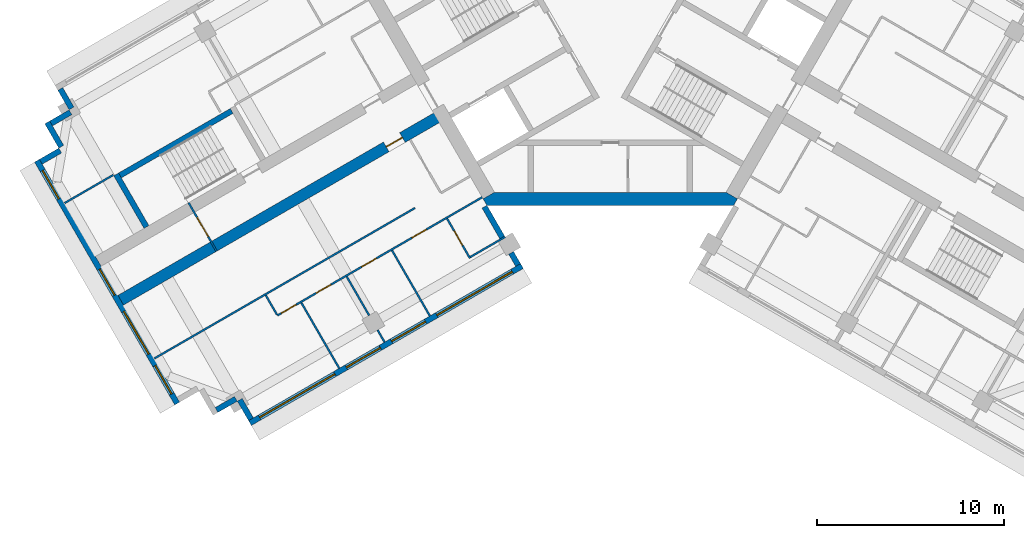
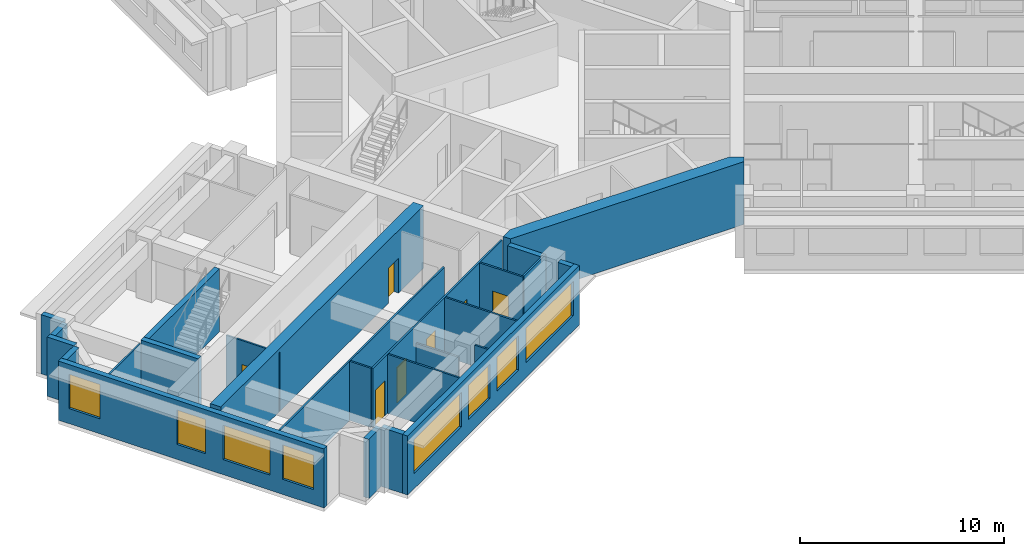
# One storey, part 2 of 11: 25 walls, 8 windows, 7 doors, 15 openings.
"""IFC4 building model written with IfcOpenShell, lengths in metres."""

from ifc_helpers import new_model, si_unit, direction, frame, frame_2d, origin, place, context, subcontext, project, spatial, polyline, rectangle, outline, extrude, material, layer, layer_set, type_object, element, fill, save


model = new_model("IFC4")

# Units and contexts
model_context = context("Model", 3, precision=1e-05, world=origin(), true_north=direction((0.0, 1.0)))
body_context = subcontext(model_context, "Body", "Model", "MODEL_VIEW")
ifc_project = project(units=[si_unit("LENGTHUNIT", "METRE"), si_unit("AREAUNIT", "SQUARE_METRE"), si_unit("VOLUMEUNIT", "CUBIC_METRE"), si_unit("PLANEANGLEUNIT", "RADIAN"), si_unit("MASSUNIT", "GRAM", prefix="KILO")], contexts=[model_context])

# Site, building, storey
site_placement = place(None, origin())
site = spatial("IfcSite", under=ifc_project, at=site_placement, CompositionType="ELEMENT")
building_placement = place(site_placement, origin())
building = spatial("IfcBuilding", under=site, at=building_placement, Name="Impinga Residences", CompositionType="ELEMENT")
storey_placement = place(building_placement, frame((0.0, 0.0, 244.75)))
storey = spatial("IfcBuildingStorey", under=building, at=storey_placement, Name="L61", CompositionType="ELEMENT", Elevation=244.75)

# Wall, opening, door
ifc_material_1 = material(Name="Concrete C60/75", Category="concrete")
ifc_layer_1 = layer(ifc_material_1, 0.60009765625)
ifc_layer_set_1 = layer_set([ifc_layer_1], Name="Concrete C60/75")
wall_type_1 = type_object("IfcWallType", Name="BW3 corridor buttress wall, L46 to L73 600", PredefinedType="SHEAR", material=ifc_layer_set_1)
wall_1_placement = place(storey_placement, frame((-8.996826171875, -6.580078125, 0.0), z_axis=(0.0, 0.0, 1.0), x_axis=(-0.866030540451, -0.499991102927, 0.0)))
wall_1 = element("IfcWall", 1, at=wall_1_placement, inside=storey, type_object=wall_type_1, Name="Corridor wall BW3 WC L61", PredefinedType="SHEAR", context=body_context, shape_type="SweptSolid", body=[
    extrude(rectangle(XDim=19.849853515625, YDim=0.60009765625, at=frame_2d((9.9248046875, 0.0))), origin(), (0.0, 0.0, 1.0), 3.75),
])
opening_1_placement = place(wall_1_placement, frame((2.449951171875, 0.0, 0.0)))
opening_1 = element("IfcOpeningElement", 2, at=opening_1_placement, cuts=wall_1, Name="Opening D1", PredefinedType="OPENING", context=body_context, shape_type="SweptSolid", body=[
    extrude(rectangle(XDim=1.0, YDim=2.10009765625, at=frame_2d((0.5, 1.050048828125))), frame((0.0, 0.31005859375, 0.0), z_axis=(0.0, -1.0, 0.0), x_axis=(1.0, 0.0, 0.0)), (0.0, 0.0, 1.0), 0.6201171875),
])
ifc_material_2 = material(Name="Timber door set", Category="wood")
door_type_1 = type_object("IfcDoorType", Name="D1 apartment entrance door 1000x2100", OperationType="SINGLE_SWING_LEFT", PredefinedType="DOOR", material=ifc_material_2)
door_1_placement = place(opening_1_placement, origin())
door_1 = element("IfcDoor", 3, at=door_1_placement, inside=storey, type_object=door_type_1, Name="Apartment L61-WA1 entrance", OperationType="SINGLE_SWING_LEFT", OverallHeight=2.10009765625, OverallWidth=1.0, PredefinedType="DOOR", context=body_context, shape_type="SweptSolid", body=[
    extrude(rectangle(XDim=1.0, YDim=2.10009765625, at=frame_2d((0.5, 1.050048828125))), frame((0.0, 0.02490234375, 0.0), z_axis=(0.0, -1.0, 0.0), x_axis=(1.0, 0.0, 0.0)), (0.0, 0.0, 1.0), 0.050048828125),
])
fill(opening_1, door_1)

ifc_material_3 = material(Name="Concrete blockwork", Category="masonry")
ifc_layer_2 = layer(ifc_material_3, 0.10009765625)
ifc_layer_set_2 = layer_set([ifc_layer_2], Name="CP1 core room partition, blockwork 100")
wall_type_2 = type_object("IfcWallType", Name="CP1 core room partition, blockwork 100", PredefinedType="PARTITIONING", material=ifc_layer_set_2)
wall_2_placement = place(storey_placement, frame((-21.057861328125, -13.889892578125, 0.0), z_axis=(0.0, 0.0, 1.0), x_axis=(-0.499990139034, 0.866031096941, 0.0)))
wall_2 = element("IfcWall", 4, at=wall_2_placement, inside=storey, type_object=wall_type_2, Name="Core room partition, blockwork L61:W:LNG", PredefinedType="PARTITIONING", context=body_context, shape_type="SweptSolid", body=[
    extrude(rectangle(XDim=3.0, YDim=0.10009765625, at=frame_2d((1.5, 0.0))), origin(), (0.0, 0.0, 1.0), 3.530029296875),
])
opening_2_placement = place(wall_2_placement, frame((0.89990234375, 0.0, 0.0)))
opening_2 = element("IfcOpeningElement", 5, at=opening_2_placement, cuts=wall_2, Name="Opening D3", PredefinedType="OPENING", context=body_context, shape_type="SweptSolid", body=[
    extrude(rectangle(XDim=1.199951171875, YDim=2.10009765625, at=frame_2d((0.60009765625, 1.050048828125))), frame((0.0, 0.06005859375, 0.0), z_axis=(0.0, -1.0, 0.0), x_axis=(1.0, 0.0, 0.0)), (0.0, 0.0, 1.0), 0.1201171875),
])
door_type_2 = type_object("IfcDoorType", Name="D3 room door, leaf and a half 1200x2100", OperationType="DOUBLE_SWING_LEFT", PredefinedType="DOOR", material=ifc_material_2)
door_2_placement = place(opening_2_placement, origin())
door_2 = element("IfcDoor", 6, at=door_2_placement, inside=storey, type_object=door_type_2, Name="Residents' lounge door W", OperationType="DOUBLE_SWING_LEFT", OverallHeight=2.10009765625, OverallWidth=1.199951171875, PredefinedType="DOOR", context=body_context, shape_type="SweptSolid", body=[
    extrude(rectangle(XDim=1.199951171875, YDim=2.10009765625, at=frame_2d((0.60009765625, 1.050048828125))), frame((0.0, 0.02490234375, 0.0), z_axis=(0.0, -1.0, 0.0), x_axis=(1.0, 0.0, 0.0)), (0.0, 0.0, 1.0), 0.050048828125),
])
fill(opening_2, door_2)

# Walls
ifc_material_4 = material(Name="Terracotta rainscreen on blockwork", Category="masonry")
ifc_layer_3 = layer(ifc_material_4, 0.300048828125)
ifc_layer_set_3 = layer_set([ifc_layer_3], Name="EW1 external wall, terracotta rainscreen on blockwork 300")
wall_type_3 = type_object("IfcWallType", Name="EW1 external wall, terracotta rainscreen on blockwork 300", PredefinedType="SOLIDWALL", material=ifc_layer_set_3)
wall_3_placement = place(storey_placement, frame((-6.72998046875, -11.506591796875, 0.0), z_axis=(0.0, 0.0, 1.0), x_axis=(0.500043961785, -0.866000020948, 0.0)))
element("IfcWall", 7, at=wall_3_placement, inside=storey, type_object=wall_type_3, Name="External wall EW1 L61", PredefinedType="SOLIDWALL", context=body_context, shape_type="SweptSolid", body=[
    extrude(rectangle(XDim=1.949951171875, YDim=0.300048828125, at=frame_2d((0.97509765625, 0.0))), origin(), (0.0, 0.0, 1.0), 3.530029296875),
])
wall_4_placement = place(storey_placement, frame((-5.304931640625, -13.974609375, 0.0), z_axis=(0.0, 0.0, 1.0), x_axis=(0.499919672301, -0.866071776036, 0.0)))
element("IfcWall", 8, at=wall_4_placement, inside=storey, type_object=wall_type_3, Name="External wall EW1 L61", PredefinedType="SOLIDWALL", context=body_context, shape_type="SweptSolid", body=[
    extrude(rectangle(XDim=0.75, YDim=0.300048828125, at=frame_2d((0.375, 0.0))), origin(), (0.0, 0.0, 1.0), 3.530029296875),
])

# Wall, openings, windows
wall_5_placement = place(storey_placement, frame((-4.72509765625, -14.67919921875, 0.0), z_axis=(0.0, 0.0, 1.0), x_axis=(-0.86602562146, -0.499999622975, 0.0)))
wall_5 = element("IfcWall", 9, at=wall_5_placement, inside=storey, type_object=wall_type_3, Name="External wall EW1 L61", PredefinedType="SOLIDWALL", context=body_context, shape_type="SweptSolid", body=[
    extrude(rectangle(XDim=16.7998046875, YDim=0.300048828125, at=frame_2d((8.39990234375, 0.0))), origin(), (0.0, 0.0, 1.0), 3.530029296875),
])
opening_3_placement = place(wall_5_placement, frame((0.60009765625, 0.0, 0.89990234375)))
opening_3 = element("IfcOpeningElement", 10, at=opening_3_placement, cuts=wall_5, Name="Opening W10", PredefinedType="OPENING", context=body_context, shape_type="SweptSolid", body=[
    extrude(rectangle(XDim=4.64990234375, YDim=2.050048828125, at=frame_2d((2.324951171875, 1.02490234375))), frame((0.0, 0.159912109375, 0.0), z_axis=(0.0, -1.0, 0.0), x_axis=(1.0, 0.0, 0.0)), (0.0, 0.0, 1.0), 0.320068359375),
])
opening_4_placement = place(wall_5_placement, frame((5.949951171875, 0.0, 0.89990234375)))
opening_4 = element("IfcOpeningElement", 11, at=opening_4_placement, cuts=wall_5, Name="Opening W9", PredefinedType="OPENING", context=body_context, shape_type="SweptSolid", body=[
    extrude(rectangle(XDim=2.10009765625, YDim=2.050048828125, at=frame_2d((1.050048828125, 1.02490234375))), frame((0.0, 0.159912109375, 0.0), z_axis=(0.0, -1.0, 0.0), x_axis=(1.0, 0.0, 0.0)), (0.0, 0.0, 1.0), 0.320068359375),
])
opening_5_placement = place(wall_5_placement, frame((8.75, 0.0, 0.89990234375)))
opening_5 = element("IfcOpeningElement", 12, at=opening_5_placement, cuts=wall_5, Name="Opening W9", PredefinedType="OPENING", context=body_context, shape_type="SweptSolid", body=[
    extrude(rectangle(XDim=2.10009765625, YDim=2.050048828125, at=frame_2d((1.050048828125, 1.02490234375))), frame((0.0, 0.159912109375, 0.0), z_axis=(0.0, -1.0, 0.0), x_axis=(1.0, 0.0, 0.0)), (0.0, 0.0, 1.0), 0.320068359375),
])
opening_6_placement = place(wall_5_placement, frame((11.550048828125, 0.0, 0.89990234375)))
opening_6 = element("IfcOpeningElement", 13, at=opening_6_placement, cuts=wall_5, Name="Opening W10", PredefinedType="OPENING", context=body_context, shape_type="SweptSolid", body=[
    extrude(rectangle(XDim=4.64990234375, YDim=2.050048828125, at=frame_2d((2.324951171875, 1.02490234375))), frame((0.0, 0.159912109375, 0.0), z_axis=(0.0, -1.0, 0.0), x_axis=(1.0, 0.0, 0.0)), (0.0, 0.0, 1.0), 0.320068359375),
])
ifc_material_5 = material(Name="Aluminium window, clear double glazing", Category="aluminium")
window_type_1 = type_object("IfcWindowType", Name="W10 ribbon window 4650x2050", PartitioningType="SINGLE_PANEL", PredefinedType="WINDOW", material=ifc_material_5)
window_1_placement = place(opening_3_placement, origin())
window_1 = element("IfcWindow", 14, at=window_1_placement, inside=storey, type_object=window_type_1, Name="Window L61", OverallHeight=2.050048828125, OverallWidth=4.64990234375, PartitioningType="SINGLE_PANEL", PredefinedType="WINDOW", context=body_context, shape_type="SweptSolid", body=[
    extrude(rectangle(XDim=4.64990234375, YDim=2.050048828125, at=frame_2d((2.324951171875, 1.02490234375))), frame((0.0, 0.030029296875, 0.0), z_axis=(0.0, -1.0, 0.0), x_axis=(1.0, 0.0, 0.0)), (0.0, 0.0, 1.0), 0.06005859375),
])
fill(opening_3, window_1)
window_2_placement = place(opening_6_placement, origin())
window_2 = element("IfcWindow", 15, at=window_2_placement, inside=storey, type_object=window_type_1, Name="Window L61", OverallHeight=2.050048828125, OverallWidth=4.64990234375, PartitioningType="SINGLE_PANEL", PredefinedType="WINDOW", context=body_context, shape_type="SweptSolid", body=[
    extrude(rectangle(XDim=4.64990234375, YDim=2.050048828125, at=frame_2d((2.324951171875, 1.02490234375))), frame((0.0, 0.030029296875, 0.0), z_axis=(0.0, -1.0, 0.0), x_axis=(1.0, 0.0, 0.0)), (0.0, 0.0, 1.0), 0.06005859375),
])
fill(opening_6, window_2)
window_type_2 = type_object("IfcWindowType", Name="W9 ribbon window 2100x2050", PartitioningType="SINGLE_PANEL", PredefinedType="WINDOW", material=ifc_material_5)
window_3_placement = place(opening_4_placement, origin())
window_3 = element("IfcWindow", 16, at=window_3_placement, inside=storey, type_object=window_type_2, Name="Window L61", OverallHeight=2.050048828125, OverallWidth=2.10009765625, PartitioningType="SINGLE_PANEL", PredefinedType="WINDOW", context=body_context, shape_type="SweptSolid", body=[
    extrude(rectangle(XDim=2.10009765625, YDim=2.050048828125, at=frame_2d((1.050048828125, 1.02490234375))), frame((0.0, 0.030029296875, 0.0), z_axis=(0.0, -1.0, 0.0), x_axis=(1.0, 0.0, 0.0)), (0.0, 0.0, 1.0), 0.06005859375),
])
fill(opening_4, window_3)
window_4_placement = place(opening_5_placement, origin())
window_4 = element("IfcWindow", 17, at=window_4_placement, inside=storey, type_object=window_type_2, Name="Window L61", OverallHeight=2.050048828125, OverallWidth=2.10009765625, PartitioningType="SINGLE_PANEL", PredefinedType="WINDOW", context=body_context, shape_type="SweptSolid", body=[
    extrude(rectangle(XDim=2.10009765625, YDim=2.050048828125, at=frame_2d((1.050048828125, 1.02490234375))), frame((0.0, 0.030029296875, 0.0), z_axis=(0.0, -1.0, 0.0), x_axis=(1.0, 0.0, 0.0)), (0.0, 0.0, 1.0), 0.06005859375),
])
fill(opening_5, window_4)

# Walls
wall_6_placement = place(storey_placement, frame((-19.21923828125, -22.874267578125, 0.0), z_axis=(0.0, 0.0, 1.0), x_axis=(-0.500033551112, 0.866006032174, 0.0)))
element("IfcWall", 18, at=wall_6_placement, inside=storey, type_object=wall_type_3, Name="External wall EW1 L61", PredefinedType="SOLIDWALL", context=body_context, shape_type="SweptSolid", body=[
    extrude(rectangle(XDim=1.2001953125, YDim=0.300048828125, at=frame_2d((0.60009765625, 0.0))), origin(), (0.0, 0.0, 1.0), 3.530029296875),
])
wall_7_placement = place(storey_placement, frame((-20.028564453125, -21.782470703125, 0.0), z_axis=(0.0, 0.0, 1.0), x_axis=(-0.865971243484, -0.500093796661, 0.0)))
element("IfcWall", 19, at=wall_7_placement, inside=storey, type_object=wall_type_3, Name="External wall EW1 L61", PredefinedType="SOLIDWALL", context=body_context, shape_type="SweptSolid", body=[
    extrude(rectangle(XDim=1.195068359375, YDim=0.300048828125, at=frame_2d((0.59765625, 0.0))), origin(), (0.0, 0.0, 1.0), 3.530029296875),
])

# Wall, openings, windows
wall_8_placement = place(storey_placement, frame((-23.16748046875, -22.035888671875, 0.0), z_axis=(0.0, 0.0, 1.0), x_axis=(-0.500004234368, 0.866022959057, 0.0)))
wall_8 = element("IfcWall", 20, at=wall_8_placement, inside=storey, type_object=wall_type_3, Name="External wall EW1 L61", PredefinedType="SOLIDWALL", context=body_context, shape_type="SweptSolid", body=[
    extrude(rectangle(XDim=14.999755859375, YDim=0.300048828125, at=frame_2d((7.5, 0.0))), origin(), (0.0, 0.0, 1.0), 3.530029296875),
])
opening_7_placement = place(wall_8_placement, frame((0.60009765625, 0.0, 0.89990234375)))
opening_7 = element("IfcOpeningElement", 21, at=opening_7_placement, cuts=wall_8, Name="Opening W1", PredefinedType="OPENING", context=body_context, shape_type="SweptSolid", body=[
    extrude(rectangle(XDim=1.75, YDim=2.050048828125, at=frame_2d((0.875, 1.02490234375))), frame((0.0, 0.159912109375, 0.0), z_axis=(0.0, -1.0, 0.0), x_axis=(1.0, 0.0, 0.0)), (0.0, 0.0, 1.0), 0.320068359375),
])
opening_8_placement = place(wall_8_placement, frame((3.050048828125, 0.0, 0.89990234375)))
opening_8 = element("IfcOpeningElement", 22, at=opening_8_placement, cuts=wall_8, Name="Opening W18", PredefinedType="OPENING", context=body_context, shape_type="SweptSolid", body=[
    extrude(rectangle(XDim=2.64990234375, YDim=2.050048828125, at=frame_2d((1.324951171875, 1.02490234375))), frame((0.0, 0.159912109375, 0.0), z_axis=(0.0, -1.0, 0.0), x_axis=(1.0, 0.0, 0.0)), (0.0, 0.0, 1.0), 0.320068359375),
])
opening_9_placement = place(wall_8_placement, frame((6.699951171875, 0.0, 0.89990234375)))
opening_9 = element("IfcOpeningElement", 23, at=opening_9_placement, cuts=wall_8, Name="Opening W19", PredefinedType="OPENING", context=body_context, shape_type="SweptSolid", body=[
    extrude(rectangle(XDim=1.60009765625, YDim=2.050048828125, at=frame_2d((0.800048828125, 1.02490234375))), frame((0.0, 0.159912109375, 0.0), z_axis=(0.0, -1.0, 0.0), x_axis=(1.0, 0.0, 0.0)), (0.0, 0.0, 1.0), 0.320068359375),
])
opening_10_placement = place(wall_8_placement, frame((12.64990234375, 0.0, 0.89990234375)))
opening_10 = element("IfcOpeningElement", 24, at=opening_10_placement, cuts=wall_8, Name="Opening W1", PredefinedType="OPENING", context=body_context, shape_type="SweptSolid", body=[
    extrude(rectangle(XDim=1.75, YDim=2.050048828125, at=frame_2d((0.875, 1.02490234375))), frame((0.0, 0.159912109375, 0.0), z_axis=(0.0, -1.0, 0.0), x_axis=(1.0, 0.0, 0.0)), (0.0, 0.0, 1.0), 0.320068359375),
])
window_type_3 = type_object("IfcWindowType", Name="W1 ribbon window 1750x2050", PartitioningType="SINGLE_PANEL", PredefinedType="WINDOW", material=ifc_material_5)
window_5_placement = place(opening_7_placement, origin())
window_5 = element("IfcWindow", 25, at=window_5_placement, inside=storey, type_object=window_type_3, Name="Window L61", OverallHeight=2.050048828125, OverallWidth=1.75, PartitioningType="SINGLE_PANEL", PredefinedType="WINDOW", context=body_context, shape_type="SweptSolid", body=[
    extrude(rectangle(XDim=1.75, YDim=2.050048828125, at=frame_2d((0.875, 1.02490234375))), frame((0.0, 0.030029296875, 0.0), z_axis=(0.0, -1.0, 0.0), x_axis=(1.0, 0.0, 0.0)), (0.0, 0.0, 1.0), 0.06005859375),
])
fill(opening_7, window_5)
window_6_placement = place(opening_10_placement, origin())
window_6 = element("IfcWindow", 26, at=window_6_placement, inside=storey, type_object=window_type_3, Name="Window L61", OverallHeight=2.050048828125, OverallWidth=1.75, PartitioningType="SINGLE_PANEL", PredefinedType="WINDOW", context=body_context, shape_type="SweptSolid", body=[
    extrude(rectangle(XDim=1.75, YDim=2.050048828125, at=frame_2d((0.875, 1.02490234375))), frame((0.0, 0.030029296875, 0.0), z_axis=(0.0, -1.0, 0.0), x_axis=(1.0, 0.0, 0.0)), (0.0, 0.0, 1.0), 0.06005859375),
])
fill(opening_10, window_6)
window_type_4 = type_object("IfcWindowType", Name="W18 ribbon window 2650x2050", PartitioningType="SINGLE_PANEL", PredefinedType="WINDOW", material=ifc_material_5)
window_7_placement = place(opening_8_placement, origin())
window_7 = element("IfcWindow", 27, at=window_7_placement, inside=storey, type_object=window_type_4, Name="Window L61", OverallHeight=2.050048828125, OverallWidth=2.64990234375, PartitioningType="SINGLE_PANEL", PredefinedType="WINDOW", context=body_context, shape_type="SweptSolid", body=[
    extrude(rectangle(XDim=2.64990234375, YDim=2.050048828125, at=frame_2d((1.324951171875, 1.02490234375))), frame((0.0, 0.030029296875, 0.0), z_axis=(0.0, -1.0, 0.0), x_axis=(1.0, 0.0, 0.0)), (0.0, 0.0, 1.0), 0.06005859375),
])
fill(opening_8, window_7)
window_type_5 = type_object("IfcWindowType", Name="W19 ribbon window 1600x2050", PartitioningType="SINGLE_PANEL", PredefinedType="WINDOW", material=ifc_material_5)
window_8_placement = place(opening_9_placement, origin())
window_8 = element("IfcWindow", 28, at=window_8_placement, inside=storey, type_object=window_type_5, Name="Window L61", OverallHeight=2.050048828125, OverallWidth=1.60009765625, PartitioningType="SINGLE_PANEL", PredefinedType="WINDOW", context=body_context, shape_type="SweptSolid", body=[
    extrude(rectangle(XDim=1.60009765625, YDim=2.050048828125, at=frame_2d((0.800048828125, 1.02490234375))), frame((0.0, 0.030029296875, 0.0), z_axis=(0.0, -1.0, 0.0), x_axis=(1.0, 0.0, 0.0)), (0.0, 0.0, 1.0), 0.06005859375),
])
fill(opening_9, window_8)

# Walls
wall_9_placement = place(storey_placement, frame((-30.46240234375, -9.1005859375, 0.0), z_axis=(0.0, 0.0, 1.0), x_axis=(0.865971243484, 0.500093796661, 0.0)))
element("IfcWall", 29, at=wall_9_placement, inside=storey, type_object=wall_type_3, Name="External wall EW1 L61", PredefinedType="SOLIDWALL", context=body_context, shape_type="SweptSolid", body=[
    extrude(rectangle(XDim=1.195068359375, YDim=0.300048828125, at=frame_2d((0.59765625, 0.0))), origin(), (0.0, 0.0, 1.0), 3.530029296875),
])
wall_10_placement = place(storey_placement, frame((-29.368408203125, -8.295654296875, 0.0), z_axis=(0.0, 0.0, 1.0), x_axis=(-0.499990139034, 0.866031096941, 0.0)))
element("IfcWall", 30, at=wall_10_placement, inside=storey, type_object=wall_type_3, Name="External wall EW1 L61", PredefinedType="SOLIDWALL", context=body_context, shape_type="SweptSolid", body=[
    extrude(rectangle(XDim=1.5, YDim=0.300048828125, at=frame_2d((0.75, 0.0))), origin(), (0.0, 0.0, 1.0), 3.530029296875),
])
wall_11_placement = place(storey_placement, frame((-29.91357421875, -7.051513671875, 0.0), z_axis=(0.0, 0.0, 1.0), x_axis=(0.865971243484, 0.500093796661, 0.0)))
element("IfcWall", 31, at=wall_11_placement, inside=storey, type_object=wall_type_3, Name="External wall EW1 L61", PredefinedType="SOLIDWALL", context=body_context, shape_type="SweptSolid", body=[
    extrude(rectangle(XDim=1.195068359375, YDim=0.300048828125, at=frame_2d((0.59765625, 0.0))), origin(), (0.0, 0.0, 1.0), 3.530029296875),
])
wall_12_placement = place(storey_placement, frame((-28.8193359375, -6.24658203125, 0.0), z_axis=(0.0, 0.0, 1.0), x_axis=(-0.500033551112, 0.866006032174, 0.0)))
element("IfcWall", 32, at=wall_12_placement, inside=storey, type_object=wall_type_3, Name="External wall EW1 L61", PredefinedType="SOLIDWALL", context=body_context, shape_type="SweptSolid", body=[
    extrude(rectangle(XDim=1.2001953125, YDim=0.300048828125, at=frame_2d((0.60009765625, 0.0))), origin(), (0.0, 0.0, 1.0), 3.530029296875),
])
ifc_material_6 = material(Name="Gypsum board on steel studs", Category="steel")
ifc_layer_4 = layer(ifc_material_6, 0.10009765625)
ifc_layer_set_4 = layer_set([ifc_layer_4], Name="Gypsum board on steel studs")
wall_type_4 = type_object("IfcWallType", Name="IP1 partition 100", PredefinedType="PARTITIONING", material=ifc_layer_set_4)
wall_13_placement = place(storey_placement, frame((-10.444580078125, -11.57275390625, 0.0), z_axis=(0.0, 0.0, 1.0), x_axis=(-0.866021949085, -0.500005983666, 0.0)))
element("IfcWall", 33, at=wall_13_placement, inside=storey, type_object=wall_type_4, Name="Partition L61-WA1:DIV1", PredefinedType="PARTITIONING", context=body_context, shape_type="SweptSolid", body=[
    extrude(rectangle(XDim=16.099853515625, YDim=0.10009765625, at=frame_2d((8.0498046875, 0.0))), origin(), (0.0, 0.0, 1.0), 3.530029296875),
])

# Wall, openings, doors
wall_14_placement = place(storey_placement, frame((-6.85009765625, -10.99853515625, 0.0), z_axis=(0.0, 0.0, 1.0), x_axis=(-0.866024244478, -0.500002007972, 0.0)))
wall_14 = element("IfcWall", 34, at=wall_14_placement, inside=storey, type_object=wall_type_4, Name="Partition L61-WA1:STRIP", PredefinedType="PARTITIONING", context=body_context, shape_type="SweptSolid", body=[
    extrude(rectangle(XDim=12.64990234375, YDim=0.10009765625, at=frame_2d((6.324951171875, 0.0))), origin(), (0.0, 0.0, 1.0), 3.530029296875),
])
opening_11_placement = place(wall_14_placement, frame((3.449951171875, 0.0, 0.0)))
opening_11 = element("IfcOpeningElement", 35, at=opening_11_placement, cuts=wall_14, Name="Opening D2", PredefinedType="OPENING", context=body_context, shape_type="SweptSolid", body=[
    extrude(rectangle(XDim=0.89990234375, YDim=2.10009765625, at=frame_2d((0.449951171875, 1.050048828125))), frame((0.0, 0.06005859375, 0.0), z_axis=(0.0, -1.0, 0.0), x_axis=(1.0, 0.0, 0.0)), (0.0, 0.0, 1.0), 0.1201171875),
])
opening_12_placement = place(wall_14_placement, frame((6.550048828125, 0.0, 0.0)))
opening_12 = element("IfcOpeningElement", 36, at=opening_12_placement, cuts=wall_14, Name="Opening D2", PredefinedType="OPENING", context=body_context, shape_type="SweptSolid", body=[
    extrude(rectangle(XDim=0.89990234375, YDim=2.10009765625, at=frame_2d((0.449951171875, 1.050048828125))), frame((0.0, 0.06005859375, 0.0), z_axis=(0.0, -1.0, 0.0), x_axis=(1.0, 0.0, 0.0)), (0.0, 0.0, 1.0), 0.1201171875),
])
opening_13_placement = place(wall_14_placement, frame((9.35009765625, 0.0, 0.0)))
opening_13 = element("IfcOpeningElement", 37, at=opening_13_placement, cuts=wall_14, Name="Opening D2", PredefinedType="OPENING", context=body_context, shape_type="SweptSolid", body=[
    extrude(rectangle(XDim=0.89990234375, YDim=2.10009765625, at=frame_2d((0.449951171875, 1.050048828125))), frame((0.0, 0.06005859375, 0.0), z_axis=(0.0, -1.0, 0.0), x_axis=(1.0, 0.0, 0.0)), (0.0, 0.0, 1.0), 0.1201171875),
])
opening_14_placement = place(wall_14_placement, frame((11.5, 0.0, 0.0)))
opening_14 = element("IfcOpeningElement", 38, at=opening_14_placement, cuts=wall_14, Name="Opening D2", PredefinedType="OPENING", context=body_context, shape_type="SweptSolid", body=[
    extrude(rectangle(XDim=0.89990234375, YDim=2.10009765625, at=frame_2d((0.449951171875, 1.050048828125))), frame((0.0, 0.06005859375, 0.0), z_axis=(0.0, -1.0, 0.0), x_axis=(1.0, 0.0, 0.0)), (0.0, 0.0, 1.0), 0.1201171875),
])
door_type_3 = type_object("IfcDoorType", Name="D2 internal door 900x2100", OperationType="SINGLE_SWING_LEFT", PredefinedType="DOOR", material=ifc_material_2)
door_3_placement = place(opening_11_placement, origin())
door_3 = element("IfcDoor", 39, at=door_3_placement, inside=storey, type_object=door_type_3, Name="Apartment L61-WA1 room door", OperationType="SINGLE_SWING_LEFT", OverallHeight=2.10009765625, OverallWidth=0.89990234375, PredefinedType="DOOR", context=body_context, shape_type="SweptSolid", body=[
    extrude(rectangle(XDim=0.89990234375, YDim=2.10009765625, at=frame_2d((0.449951171875, 1.050048828125))), frame((0.0, 0.02490234375, 0.0), z_axis=(0.0, -1.0, 0.0), x_axis=(1.0, 0.0, 0.0)), (0.0, 0.0, 1.0), 0.050048828125),
])
fill(opening_11, door_3)
door_4_placement = place(opening_12_placement, origin())
door_4 = element("IfcDoor", 40, at=door_4_placement, inside=storey, type_object=door_type_3, Name="Apartment L61-WA1 room door", OperationType="SINGLE_SWING_RIGHT", OverallHeight=2.10009765625, OverallWidth=0.89990234375, PredefinedType="DOOR", context=body_context, shape_type="SweptSolid", body=[
    extrude(rectangle(XDim=0.89990234375, YDim=2.10009765625, at=frame_2d((0.449951171875, 1.050048828125))), frame((0.0, 0.02490234375, 0.0), z_axis=(0.0, -1.0, 0.0), x_axis=(1.0, 0.0, 0.0)), (0.0, 0.0, 1.0), 0.050048828125),
])
fill(opening_12, door_4)
door_5_placement = place(opening_13_placement, origin())
door_5 = element("IfcDoor", 41, at=door_5_placement, inside=storey, type_object=door_type_3, Name="Apartment L61-WA1 room door", OperationType="SINGLE_SWING_RIGHT", OverallHeight=2.10009765625, OverallWidth=0.89990234375, PredefinedType="DOOR", context=body_context, shape_type="SweptSolid", body=[
    extrude(rectangle(XDim=0.89990234375, YDim=2.10009765625, at=frame_2d((0.449951171875, 1.050048828125))), frame((0.0, 0.02490234375, 0.0), z_axis=(0.0, -1.0, 0.0), x_axis=(1.0, 0.0, 0.0)), (0.0, 0.0, 1.0), 0.050048828125),
])
fill(opening_13, door_5)
door_6_placement = place(opening_14_placement, origin())
door_6 = element("IfcDoor", 42, at=door_6_placement, inside=storey, type_object=door_type_3, Name="Apartment L61-WA1 room door", OperationType="SINGLE_SWING_RIGHT", OverallHeight=2.10009765625, OverallWidth=0.89990234375, PredefinedType="DOOR", context=body_context, shape_type="SweptSolid", body=[
    extrude(rectangle(XDim=0.89990234375, YDim=2.10009765625, at=frame_2d((0.449951171875, 1.050048828125))), frame((0.0, 0.02490234375, 0.0), z_axis=(0.0, -1.0, 0.0), x_axis=(1.0, 0.0, 0.0)), (0.0, 0.0, 1.0), 0.050048828125),
])
fill(opening_14, door_6)

# Walls
wall_15_placement = place(storey_placement, frame((-18.43017578125, -16.240966796875, 0.0), z_axis=(0.0, 0.0, 1.0), x_axis=(0.499880961361, -0.866094119867, 0.0)))
element("IfcWall", 43, at=wall_15_placement, inside=storey, type_object=wall_type_4, Name="Partition L61-WA1:SE1", PredefinedType="PARTITIONING", context=body_context, shape_type="SweptSolid", body=[
    extrude(rectangle(XDim=1.199951171875, YDim=0.10009765625, at=frame_2d((0.60009765625, 0.0))), origin(), (0.0, 0.0, 1.0), 3.530029296875),
])
wall_16_placement = place(storey_placement, frame((-11.6748046875, -13.841796875, 0.0), z_axis=(0.0, 0.0, 1.0), x_axis=(0.500035537042, -0.866004885491, 0.0)))
element("IfcWall", 44, at=wall_16_placement, inside=storey, type_object=wall_type_4, Name="Partition L61-WA1:OB1", PredefinedType="PARTITIONING", context=body_context, shape_type="SweptSolid", body=[
    extrude(rectangle(XDim=4.050048828125, YDim=0.10009765625, at=frame_2d((2.02490234375, 0.0))), origin(), (0.0, 0.0, 1.0), 3.530029296875),
])
wall_17_placement = place(storey_placement, frame((-14.099609375, -15.241943359375, 0.0), z_axis=(0.0, 0.0, 1.0), x_axis=(0.500001309137, -0.866024647952, 0.0)))
element("IfcWall", 45, at=wall_17_placement, inside=storey, type_object=wall_type_4, Name="Partition L61-WA1:OB2", PredefinedType="PARTITIONING", context=body_context, shape_type="SweptSolid", body=[
    extrude(rectangle(XDim=2.39990234375, YDim=0.10009765625, at=frame_2d((1.199951171875, 0.0))), origin(), (0.0, 0.0, 1.0), 2.47998046875),
])
wall_18_placement = place(storey_placement, frame((-12.44970703125, -18.099609375, 0.0), z_axis=(0.0, 0.0, 1.0), x_axis=(0.499919672301, -0.866071776036, 0.0)))
element("IfcWall", 46, at=wall_18_placement, inside=storey, type_object=wall_type_4, Name="Partition L61-WA1:OB2b", PredefinedType="PARTITIONING", context=body_context, shape_type="SweptSolid", body=[
    extrude(rectangle(XDim=0.75, YDim=0.10009765625, at=frame_2d((0.375, 0.0))), origin(), (0.0, 0.0, 1.0), 3.530029296875),
])
wall_19_placement = place(storey_placement, frame((-16.5244140625, -16.641845703125, 0.0), z_axis=(0.0, 0.0, 1.0), x_axis=(0.499990325971, -0.866030989016, 0.0)))
element("IfcWall", 47, at=wall_19_placement, inside=storey, type_object=wall_type_4, Name="Partition L61-WA1:OB3", PredefinedType="PARTITIONING", context=body_context, shape_type="SweptSolid", body=[
    extrude(rectangle(XDim=4.0498046875, YDim=0.10009765625, at=frame_2d((2.02490234375, 0.0))), origin(), (0.0, 0.0, 1.0), 3.530029296875),
])

# Wall, opening, door
wall_20_placement = place(storey_placement, frame((-8.730224609375, -12.141845703125, 0.0), z_axis=(0.0, 0.0, 1.0), x_axis=(0.499943856944, -0.866057815567, 0.0)))
wall_20 = element("IfcWall", 48, at=wall_20_placement, inside=storey, type_object=wall_type_4, Name="Partition L61-WA1:EN1", PredefinedType="PARTITIONING", context=body_context, shape_type="SweptSolid", body=[
    extrude(rectangle(XDim=2.449951171875, YDim=0.10009765625, at=frame_2d((1.22509765625, 0.0))), origin(), (0.0, 0.0, 1.0), 3.530029296875),
])
opening_15_placement = place(wall_20_placement, frame((0.75, 0.0, 0.0)))
opening_15 = element("IfcOpeningElement", 49, at=opening_15_placement, cuts=wall_20, Name="Opening D2", PredefinedType="OPENING", context=body_context, shape_type="SweptSolid", body=[
    extrude(rectangle(XDim=0.89990234375, YDim=2.10009765625, at=frame_2d((0.449951171875, 1.050048828125))), frame((0.0, 0.06005859375, 0.0), z_axis=(0.0, -1.0, 0.0), x_axis=(1.0, 0.0, 0.0)), (0.0, 0.0, 1.0), 0.1201171875),
])
door_7_placement = place(opening_15_placement, origin())
door_7 = element("IfcDoor", 50, at=door_7_placement, inside=storey, type_object=door_type_3, Name="Apartment L61-WA1 en-suite door", OperationType="SINGLE_SWING_LEFT", OverallHeight=2.10009765625, OverallWidth=0.89990234375, PredefinedType="DOOR", context=body_context, shape_type="SweptSolid", body=[
    extrude(rectangle(XDim=0.89990234375, YDim=2.10009765625, at=frame_2d((0.449951171875, 1.050048828125))), frame((0.0, 0.02490234375, 0.0), z_axis=(0.0, -1.0, 0.0), x_axis=(1.0, 0.0, 0.0)), (0.0, 0.0, 1.0), 0.050048828125),
])
fill(opening_15, door_7)

# Walls
wall_21_placement = place(storey_placement, frame((-5.625, -13.120361328125, 0.0), z_axis=(0.0, 0.0, 1.0), x_axis=(-0.866047553582, -0.499961633463, 0.0)))
element("IfcWall", 51, at=wall_21_placement, inside=storey, type_object=wall_type_4, Name="Partition L61-WA1:EN2", PredefinedType="PARTITIONING", context=body_context, shape_type="SweptSolid", body=[
    extrude(rectangle(XDim=2.150146484375, YDim=0.10009765625, at=frame_2d((1.0751953125, 0.0))), origin(), (0.0, 0.0, 1.0), 3.530029296875),
])
wall_22_placement = place(storey_placement, frame((-26.58935546875, -9.808837890625, 0.0), z_axis=(0.0, 0.0, 1.0), x_axis=(-0.866031096941, -0.499990139034, 0.0)))
element("IfcWall", 52, at=wall_22_placement, inside=storey, type_object=wall_type_4, Name="Partition L61-WF1:DIV2", PredefinedType="PARTITIONING", context=body_context, shape_type="SweptSolid", body=[
    extrude(rectangle(XDim=3.0, YDim=0.10009765625, at=frame_2d((1.5, 0.0))), origin(), (0.0, 0.0, 1.0), 3.530029296875),
])
ifc_layer_5 = layer(ifc_material_1, 0.300048828125)
ifc_layer_set_5 = layer_set([ifc_layer_5], Name="Concrete C60/75")
wall_type_5 = type_object("IfcWallType", Name="SE1 wing stair enclosure wall 300", PredefinedType="SOLIDWALL", material=ifc_layer_set_5)
wall_23_placement = place(storey_placement, frame((-24.8095703125, -12.591796875, 0.0), z_axis=(0.0, 0.0, 1.0), x_axis=(-0.499984717929, 0.866034226713, 0.0)))
element("IfcWall", 53, at=wall_23_placement, inside=storey, type_object=wall_type_5, Name="Stair enclosure wall SE1 W END1 L61", PredefinedType="SOLIDWALL", context=body_context, shape_type="SweptSolid", body=[
    extrude(rectangle(XDim=3.25, YDim=0.300048828125, at=frame_2d((1.625, 0.0))), origin(), (0.0, 0.0, 1.0), 3.75),
])
wall_24_placement = place(storey_placement, frame((-20.254150390625, -6.382080078125, 0.0), z_axis=(0.0, 0.0, 1.0), x_axis=(-0.866020008033, -0.500009345598, 0.0)))
element("IfcWall", 54, at=wall_24_placement, inside=storey, type_object=wall_type_5, Name="Stair enclosure wall SE1 W OUT L61", PredefinedType="SOLIDWALL", context=body_context, shape_type="SweptSolid", body=[
    extrude(rectangle(XDim=6.899658203125, YDim=0.300048828125, at=frame_2d((3.44970703125, 0.0))), origin(), (0.0, 0.0, 1.0), 3.75),
])
ifc_layer_6 = layer(ifc_material_1, 0.699951171875)
ifc_layer_set_6 = layer_set([ifc_layer_6], Name="Concrete C60/75")
wall_type_6 = type_object("IfcWallType", Name="SW3 core wall 700", PredefinedType="SHEAR", material=ifc_layer_set_6)
wall_25_placement = place(storey_placement, origin())
element("IfcWall", 55, at=wall_25_placement, inside=storey, type_object=wall_type_6, Name="Core wall SW3 N:EXPOSED L61", PredefinedType="SHEAR", context=body_context, shape_type="SweptSolid", body=[
    extrude(outline(polyline([(-6.60009765625, -11.431640625), (6.60009765625, -11.431640625), (6.802001953125, -11.08154296875), (6.19580078125, -10.7314453125), (-6.19580078125, -10.7314453125), (-6.802001953125, -11.08154296875), (-6.60009765625, -11.431640625)])), origin(), (0.0, 0.0, 1.0), 3.75),
])

save(model, "model.ifc")
